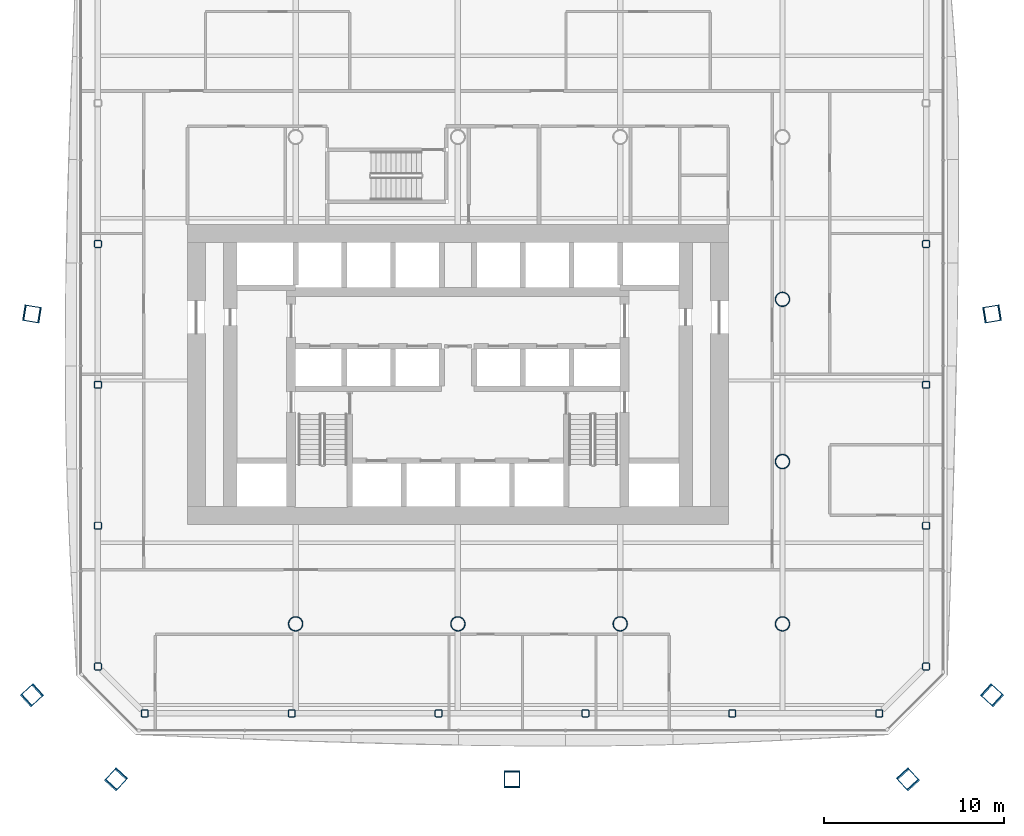
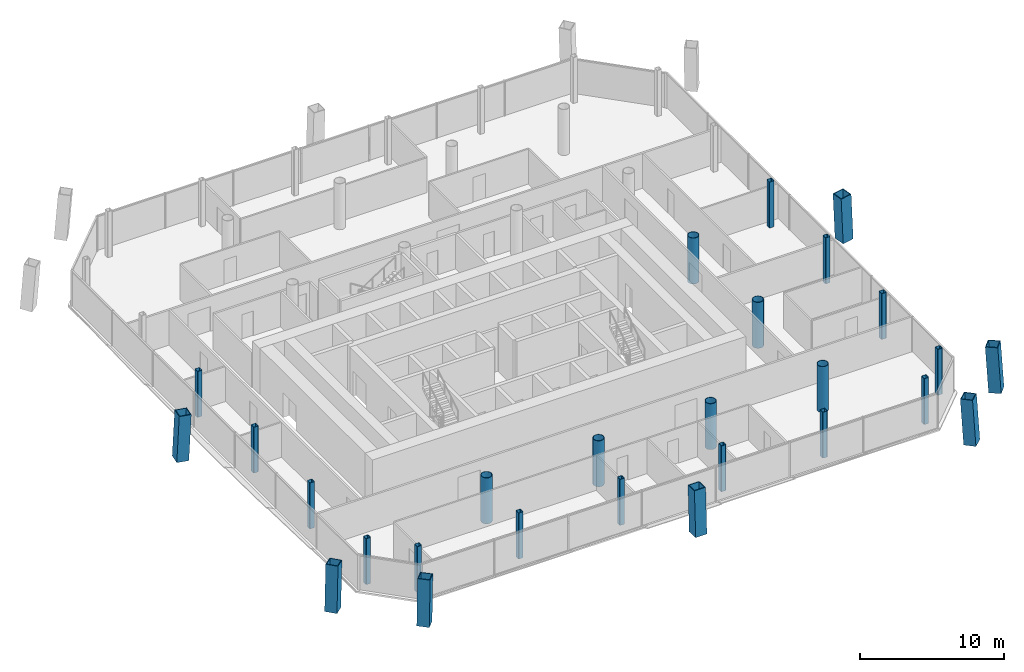
# One storey, part 1 of 19: 27 columns.
"""IFC4 building model written with IfcOpenShell, lengths in metres."""

import ifcopenshell
import ifcopenshell.guid

model = None  # the IFC model being written
_history = None  # IfcOwnerHistory: only IFC2X3 demands one
_inside = {}  # id of a spatial element -> (the spatial element, [elements in it])
_under = {}  # id of a project, library or spatial element -> (it, [spatial elements below it])
_declared = {}  # id of a project -> (the project, [libraries it declares])
_typed = {}  # id of a type object -> (the type object, [elements of that type])
_made_of = {}  # id of a material, layer set ... -> (it, [elements and type objects made of it])


def new_model(schema):
    """Start an empty IFC model of exactly this schema.

    Asked for "IFC4X3", IfcOpenShell would pick the latest addendum, in which some entities
    have other attributes; the version numbers below select the first issue.
    IFC2X3 requires an IfcOwnerHistory on every rooted entity: one is made here for all.
    """
    global model, _history
    if schema == "IFC4X3":
        model = ifcopenshell.file(schema_version=(4, 3, 0, 0))
    else:
        model = ifcopenshell.file(schema=schema)
    _inside.clear()
    _under.clear()
    _declared.clear()
    _typed.clear()
    _made_of.clear()
    _history = None
    if model.schema == "IFC2X3":
        org = make("IfcOrganization", Name="unknown")
        user = make(
            "IfcPersonAndOrganization",
            ThePerson=make("IfcPerson", FamilyName="unknown"),
            TheOrganization=org,
        )
        app = make(
            "IfcApplication",
            ApplicationDeveloper=org,
            Version="unknown",
            ApplicationFullName="unknown",
            ApplicationIdentifier="unknown",
        )
        _history = make(
            "IfcOwnerHistory",
            OwningUser=user,
            OwningApplication=app,
            ChangeAction="ADDED",
            CreationDate=0,
        )
    return model


def make(cls, **values):
    """One entity of the class cls with the attributes given. An attribute that is None is left unset."""
    return model.create_entity(
        cls, **{name: value for name, value in values.items() if value is not None}
    )


def rooted(cls, **values):
    """An entity with a GlobalId (a new one), such as an element, a storey or a relation."""
    return make(cls, GlobalId=ifcopenshell.guid.new(), OwnerHistory=_history, **values)


def si_unit(unit_type, name, prefix=None):
    """IfcSIUnit, for example si_unit("LENGTHUNIT", "METRE", prefix="MILLI")."""
    return make("IfcSIUnit", UnitType=unit_type, Prefix=prefix, Name=name)


def assignment(units):
    """IfcUnitAssignment: the units of a project."""
    return None if units is None else make("IfcUnitAssignment", Units=units)


def point(xyz):
    """IfcCartesianPoint."""
    return None if xyz is None else make("IfcCartesianPoint", Coordinates=xyz)


def direction(xyz):
    """IfcDirection."""
    return None if xyz is None else make("IfcDirection", DirectionRatios=xyz)


def frame(location, z_axis=None, x_axis=None):
    """IfcAxis2Placement3D, a coordinate frame: its origin and axes. An axis left out is left unset."""
    return make(
        "IfcAxis2Placement3D",
        Location=point(location),
        Axis=direction(z_axis),
        RefDirection=direction(x_axis),
    )


def frame_2d(location, x_axis=None):
    """IfcAxis2Placement2D, a coordinate frame in the plane: its origin and x axis."""
    return make(
        "IfcAxis2Placement2D", Location=point(location), RefDirection=direction(x_axis)
    )


def origin():
    """The frame at (0, 0, 0) with its axes left unset."""
    return frame((0.0, 0.0, 0.0))


def origin_2d():
    """The frame at (0, 0) in the plane with its x axis left unset."""
    return frame_2d((0.0, 0.0))


def place(relative_to, where):
    """IfcLocalPlacement: puts the frame where relative to a parent placement (None: the world)."""
    return make(
        "IfcLocalPlacement", PlacementRelTo=relative_to, RelativePlacement=where
    )


def context(
    kind, dimensions, precision=None, world=None, true_north=None, identifier=None
):
    """IfcGeometricRepresentationContext, for example the 3D "Model" context."""
    return make(
        "IfcGeometricRepresentationContext",
        ContextIdentifier=identifier,
        ContextType=kind,
        CoordinateSpaceDimension=dimensions,
        Precision=precision,
        WorldCoordinateSystem=world,
        TrueNorth=true_north,
    )


def subcontext(parent, identifier, kind, view, scale=None):
    """IfcGeometricRepresentationSubContext, for example "Body" below "Model"."""
    return make(
        "IfcGeometricRepresentationSubContext",
        ContextIdentifier=identifier,
        ContextType=kind,
        ParentContext=parent,
        TargetScale=scale,
        TargetView=view,
    )


def project(units=None, contexts=None):
    """IfcProject with its units and contexts."""
    return rooted(
        "IfcProject",
        Name="project",
        RepresentationContexts=contexts,
        UnitsInContext=assignment(units),
    )


def spatial(cls, under=None, at=None, **own):
    """A site, building, storey or space (cls), placed at a placement, below another one or the project."""
    s = rooted(cls, ObjectPlacement=at, **own)
    if under is not None:
        _under.setdefault(under.id(), (under, []))[1].append(s)
    return s


def profile(cls, at=None, kind="AREA", **sizes):
    """A parametric profile (cls). Its sizes go by their IFC names, for example OverallWidth=200.0."""
    return make(cls, ProfileType=kind, Position=at, **sizes)


def hollow_rectangle(**sizes):
    """IfcRectangleHollowProfileDef."""
    return profile("IfcRectangleHollowProfileDef", **sizes)


def hollow_circle(**sizes):
    """IfcCircleHollowProfileDef."""
    return profile("IfcCircleHollowProfileDef", **sizes)


def extrude(swept, where, along, depth):
    """IfcExtrudedAreaSolid: the profile swept, set in the frame where, extruded along a direction by depth."""
    return make(
        "IfcExtrudedAreaSolid",
        SweptArea=swept,
        Position=where,
        ExtrudedDirection=direction(along),
        Depth=depth,
    )


def shape(context_of_items, identifier, shape_type, items):
    """IfcShapeRepresentation: the items that make up one representation, for example the "Body"."""
    return make(
        "IfcShapeRepresentation",
        ContextOfItems=context_of_items,
        RepresentationIdentifier=identifier,
        RepresentationType=shape_type,
        Items=items,
    )


def material(Name=None, Category=None):
    """IfcMaterial."""
    return make("IfcMaterial", Name=Name, Category=Category)


def material_profile(
    of_material, cross_section, Name=None, Category=None, Priority=None
):
    """IfcMaterialProfile: a cross section and its material."""
    return make(
        "IfcMaterialProfile",
        Name=Name,
        Material=of_material,
        Profile=cross_section,
        Priority=Priority,
        Category=Category,
    )


def profile_set(profiles, Name=None, composite=None):
    """IfcMaterialProfileSet."""
    return make(
        "IfcMaterialProfileSet",
        Name=Name,
        MaterialProfiles=profiles,
        CompositeProfile=composite,
    )


def made_of(thing, what):
    """Note that an element or type object is made of a material, layer set ...; save() writes the relation."""
    if what is not None:
        _made_of.setdefault(what.id(), (what, []))[1].append(thing)
    return thing


def type_object(cls, material=None, **own):
    """A type object (cls), such as IfcWallType, which elements share."""
    return made_of(rooted(cls, **own), material)


def element(
    cls,
    number,
    at=None,
    inside=None,
    cuts=None,
    type_object=None,
    material=None,
    context=None,
    identifier="Body",
    shape_type=None,
    held_by="IfcProductDefinitionShape",
    body=None,
    shapes=None,
    **own,
):
    """One element of the class cls, such as IfcWall. Its Tag is "e" and its number.

    at: its placement. inside: the storey or other place that contains it. cuts: it is an
    opening in that element (IfcRelVoidsElement). A single representation is given by context,
    identifier, shape_type and body (its items); several are given by shapes. held_by: the class
    of the entity that holds the representations. save() writes the other relations.
    """
    e = rooted(cls, Tag="e%d" % number, ObjectPlacement=at, **own)
    if body is not None:
        shapes = [shape(context, identifier, shape_type, body)]
    if shapes is not None:
        e.Representation = make(held_by, Representations=shapes)
    if inside is not None:
        _inside.setdefault(inside.id(), (inside, []))[1].append(e)
    if cuts is not None:
        rooted(
            "IfcRelVoidsElement", RelatingBuildingElement=cuts, RelatedOpeningElement=e
        )
    if type_object is not None:
        _typed.setdefault(type_object.id(), (type_object, []))[1].append(e)
    return made_of(e, material)


def aggregate(whole, parts):
    """IfcRelAggregates: a whole, such as a stair, and the parts it consists of."""
    return rooted("IfcRelAggregates", RelatingObject=whole, RelatedObjects=parts)


def save(model, path):
    """Write the relations noted so far, then the file.

    IfcRelAggregates (storeys below a building ...), IfcRelContainedInSpatialStructure (elements
    in a storey), IfcRelDefinesByType, IfcRelAssociatesMaterial and IfcRelDeclares: one each for
    every whole, place, type object, material and project.
    """
    for whole, parts in _under.values():
        aggregate(whole, parts)
    for where, things in _inside.values():
        rooted(
            "IfcRelContainedInSpatialStructure",
            RelatedElements=things,
            RelatingStructure=where,
        )
    for kind, things in _typed.values():
        rooted("IfcRelDefinesByType", RelatedObjects=things, RelatingType=kind)
    for what, things in _made_of.values():
        rooted("IfcRelAssociatesMaterial", RelatedObjects=things, RelatingMaterial=what)
    for by, libraries in _declared.values():
        rooted("IfcRelDeclares", RelatingContext=by, RelatedDefinitions=libraries)
    model.write(path)


model = new_model("IFC4")

# Units and contexts
model_context = context("Model", 3, precision=1e-05, world=origin(), true_north=direction((0.0, 1.0)))
body_context = subcontext(model_context, "Body", "Model", "MODEL_VIEW")
ifc_project = project(units=[si_unit("LENGTHUNIT", "METRE"), si_unit("AREAUNIT", "SQUARE_METRE"), si_unit("VOLUMEUNIT", "CUBIC_METRE"), si_unit("PLANEANGLEUNIT", "RADIAN"), si_unit("MASSUNIT", "GRAM", prefix="KILO")], contexts=[model_context])

# Site, building, storey
site_placement = place(None, origin())
site = spatial("IfcSite", under=ifc_project, at=site_placement, CompositionType="ELEMENT")
building_placement = place(site_placement, origin())
building = spatial("IfcBuilding", under=site, at=building_placement, Name="Tskaro Facet Tower", CompositionType="ELEMENT")
storey_placement = place(building_placement, frame((0.0, 0.0, 105.0)))
storey = spatial("IfcBuildingStorey", under=building, at=storey_placement, Name="L25", CompositionType="ELEMENT", Elevation=105.0)

# Columns
ifc_material_1 = material(Name="Steel S460M", Category="steel")
ifc_material_profile_1 = material_profile(ifc_material_1, hollow_rectangle(XDim=0.89990234375, YDim=0.89990234375, WallThickness=0.054931640625, at=origin_2d()), Name="BOX 900x900x55")
ifc_profile_set_1 = profile_set([ifc_material_profile_1], Name="Steel S460M")
column_type_1 = type_object("IfcColumnType", Name="BOX 900x900x55 mega column", PredefinedType="COLUMN", material=ifc_profile_set_1)
column_1_placement = place(storey_placement, frame((-18.98193359375, -26.64990234375, 0.0), z_axis=(0.042706934132, 0.046813370106, 0.997990293618), x_axis=(-0.738766024784, 0.673961987522, 0.0)))
element("IfcColumn", 1, at=column_1_placement, inside=storey, type_object=column_type_1, Name="BOX 900x900x55 MC01/2", PredefinedType="COLUMN", context=body_context, shape_type="SweptSolid", body=[
    extrude(hollow_rectangle(XDim=0.89990234375, YDim=0.89990234375, WallThickness=0.054931640625, at=origin_2d()), origin(), (0.0, 0.0, 1.0), 3.864501953125),
])
column_2_placement = place(storey_placement, frame((3.0, -26.64990234375, 0.0), z_axis=(0.0, 0.046855048133, 0.9989016991), x_axis=(-1.0, 0.0, 0.0)))
element("IfcColumn", 2, at=column_2_placement, inside=storey, type_object=column_type_1, Name="BOX 900x900x55 MC02/2", PredefinedType="COLUMN", context=body_context, shape_type="SweptSolid", body=[
    extrude(hollow_rectangle(XDim=0.89990234375, YDim=0.89990234375, WallThickness=0.054931640625, at=origin_2d()), origin(), (0.0, 0.0, 1.0), 3.871337890625),
])
for number, where, z_axis, x_axis, name in (
    (3, (24.98193359375, -26.64990234375, 0.0), (-0.042706934132, 0.046813370106, 0.997990293618), (-0.738766024784, -0.673961987522, 0.0), "BOX 900x900x55 MC03/2"),
    (4, (29.64990234375, -21.98193359375, 0.0), (-0.046813370106, 0.042706934132, 0.997990293618), (-0.673961987522, -0.738766024784, 0.0), "BOX 900x900x55 MC04/2"),
):
    element("IfcColumn", number, at=place(storey_placement, frame(where, z_axis=z_axis, x_axis=x_axis)), inside=storey, type_object=column_type_1, Name=name, PredefinedType="COLUMN", context=body_context, shape_type="SweptSolid", body=[
        extrude(hollow_rectangle(XDim=0.89990234375, YDim=0.89990234375, WallThickness=0.054931640625, at=origin_2d()), origin(), (0.0, 0.0, 1.0), 3.864501953125),
    ])
for number, where, z_axis, x_axis, name in (
    (5, (29.64990234375, -0.806884765625, 0.0), (-0.046859564771, -0.007694302695, 0.99887185309), (0.162029451606, -0.986785922484, 0.0), "BOX 900x900x55 MC05/2"),
    (6, (-23.64990234375, -0.806884765625, 0.0), (0.046859564771, -0.007694302695, 0.99887185309), (0.162029451606, 0.986785922484, 0.0), "BOX 900x900x55 MC11/2"),
):
    element("IfcColumn", number, at=place(storey_placement, frame(where, z_axis=z_axis, x_axis=x_axis)), inside=storey, type_object=column_type_1, Name=name, PredefinedType="COLUMN", context=body_context, shape_type="SweptSolid", body=[
        extrude(hollow_rectangle(XDim=0.89990234375, YDim=0.89990234375, WallThickness=0.054931640625, at=origin_2d()), origin(), (0.0, 0.0, 1.0), 3.87109375),
    ])
column_3_placement = place(storey_placement, frame((-23.64990234375, -21.98193359375, 0.0), z_axis=(0.046813370106, 0.042706934132, 0.997990293618), x_axis=(-0.673961987522, 0.738766024784, 0.0)))
element("IfcColumn", 7, at=column_3_placement, inside=storey, type_object=column_type_1, Name="BOX 900x900x55 MC12/2", PredefinedType="COLUMN", context=body_context, shape_type="SweptSolid", body=[
    extrude(hollow_rectangle(XDim=0.89990234375, YDim=0.89990234375, WallThickness=0.054931640625, at=origin_2d()), origin(), (0.0, 0.0, 1.0), 3.864501953125),
])
ifc_material_2 = material(Name="Steel S355J2H", Category="steel")
ifc_material_profile_2 = material_profile(ifc_material_2, hollow_circle(Radius=0.406494140625, WallThickness=0.035888671875, at=origin_2d()), Name="CHS 812.8x36")
ifc_profile_set_2 = profile_set([ifc_material_profile_2], Name="Steel S355J2H")
column_type_2 = type_object("IfcColumnType", Name="CHS 812.8x36 interior column", PredefinedType="COLUMN", material=ifc_profile_set_2)
for number, where, z_axis, x_axis, name in (
    (8, (-9.0, -18.0, 0.0), (0.0, 0.0, 1.0), (1.0, 0.0, 0.0), "CHS 812.8x36 C3B/2"),
    (9, (0.0, -18.0, 0.0), (0.0, 0.0, 1.0), (1.0, 0.0, 0.0), "CHS 812.8x36 C4B/2"),
    (10, (9.0, -18.0, 0.0), (0.0, 0.0, 1.0), (1.0, 0.0, 0.0), "CHS 812.8x36 C5B/2"),
    (11, (18.0, -18.0, 0.0), (0.0, 0.0, 1.0), (1.0, 0.0, 0.0), "CHS 812.8x36 C6B/2"),
    (12, (18.0, -9.0, 0.0), (0.0, 0.0, 1.0), (1.0, 0.0, 0.0), "CHS 812.8x36 C6C/2"),
    (13, (18.0, 0.0, 0.0), (0.0, 0.0, 1.0), (1.0, 0.0, 0.0), "CHS 812.8x36 C6D/2"),
):
    element("IfcColumn", number, at=place(storey_placement, frame(where, z_axis=z_axis, x_axis=x_axis)), inside=storey, type_object=column_type_2, Name=name, PredefinedType="COLUMN", context=body_context, shape_type="SweptSolid", body=[
        extrude(hollow_circle(Radius=0.406494140625, WallThickness=0.035888671875, at=origin_2d()), origin(), (0.0, 0.0, 1.0), 3.89990234375),
    ])
ifc_material_profile_3 = material_profile(ifc_material_2, hollow_rectangle(XDim=0.39990234375, YDim=0.39990234375, WallThickness=0.02490234375, InnerFilletRadius=0.03759765625, OuterFilletRadius=0.0625, at=origin_2d()), Name="SHS 400x400x25")
ifc_profile_set_3 = profile_set([ifc_material_profile_3], Name="Steel S355J2H")
column_type_3 = type_object("IfcColumnType", Name="SHS 400x400x25 ring column", PredefinedType="COLUMN", material=ifc_profile_set_3)
for number, where, z_axis, x_axis, name in (
    (14, (-17.364013671875, -22.965087890625, 0.0), (0.0, 0.0, 1.0), (1.0, 0.0, 0.0), "SHS 400x400x25 RS-1/2"),
    (15, (-9.218017578125, -22.965087890625, 0.0), (0.0, 0.0, 1.0), (1.0, 0.0, 0.0), "SHS 400x400x25 RS-2/2"),
    (16, (-1.072998046875, -22.965087890625, 0.0), (0.0, 0.0, 1.0), (1.0, 0.0, 0.0), "SHS 400x400x25 RS-3/2"),
    (17, (7.072998046875, -22.965087890625, 0.0), (0.0, 0.0, 1.0), (1.0, 0.0, 0.0), "SHS 400x400x25 RS-4/2"),
    (18, (15.218017578125, -22.965087890625, 0.0), (0.0, 0.0, 1.0), (1.0, 0.0, 0.0), "SHS 400x400x25 RS-5/2"),
    (19, (23.364013671875, -22.965087890625, 0.0), (0.0, 0.0, 1.0), (1.0, 0.0, 0.0), "SHS 400x400x25 RSE-1/2"),
    (20, (25.965087890625, -20.364013671875, 0.0), (0.0, 0.0, 1.0), (1.0, 0.0, 0.0), "SHS 400x400x25 RE-1/2"),
    (21, (25.965087890625, -12.552978515625, 0.0), (0.0, 0.0, 1.0), (1.0, 0.0, 0.0), "SHS 400x400x25 RE-2/2"),
    (22, (25.965087890625, -4.741943359375, 0.0), (0.0, 0.0, 1.0), (1.0, 0.0, 0.0), "SHS 400x400x25 RE-3/2"),
    (23, (25.965087890625, 3.068115234375, 0.0), (0.0, 0.0, 1.0), (1.0, 0.0, 0.0), "SHS 400x400x25 RE-4/2"),
    (24, (-19.965087890625, 3.068115234375, 0.0), (0.0, 0.0, 1.0), (1.0, 0.0, 0.0), "SHS 400x400x25 RW-3/2"),
    (25, (-19.965087890625, -4.741943359375, 0.0), (0.0, 0.0, 1.0), (1.0, 0.0, 0.0), "SHS 400x400x25 RW-4/2"),
    (26, (-19.965087890625, -12.552978515625, 0.0), (0.0, 0.0, 1.0), (1.0, 0.0, 0.0), "SHS 400x400x25 RW-5/2"),
    (27, (-19.965087890625, -20.364013671875, 0.0), (0.0, 0.0, 1.0), (1.0, 0.0, 0.0), "SHS 400x400x25 RSW-1/2"),
):
    element("IfcColumn", number, at=place(storey_placement, frame(where, z_axis=z_axis, x_axis=x_axis)), inside=storey, type_object=column_type_3, Name=name, PredefinedType="COLUMN", context=body_context, shape_type="SweptSolid", body=[
        extrude(hollow_rectangle(XDim=0.39990234375, YDim=0.39990234375, WallThickness=0.02490234375, InnerFilletRadius=0.03759765625, OuterFilletRadius=0.0625, at=origin_2d()), origin(), (0.0, 0.0, 1.0), 3.89990234375),
    ])

save(model, "model.ifc")
